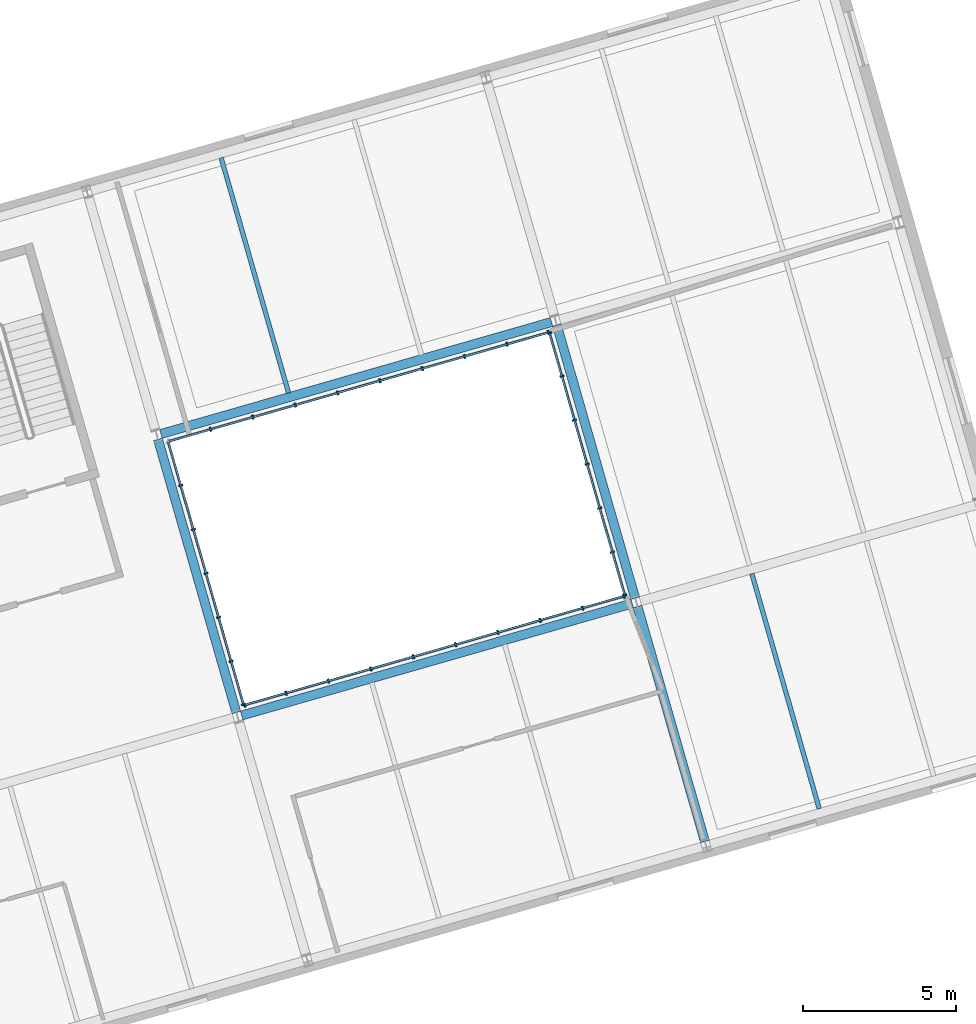
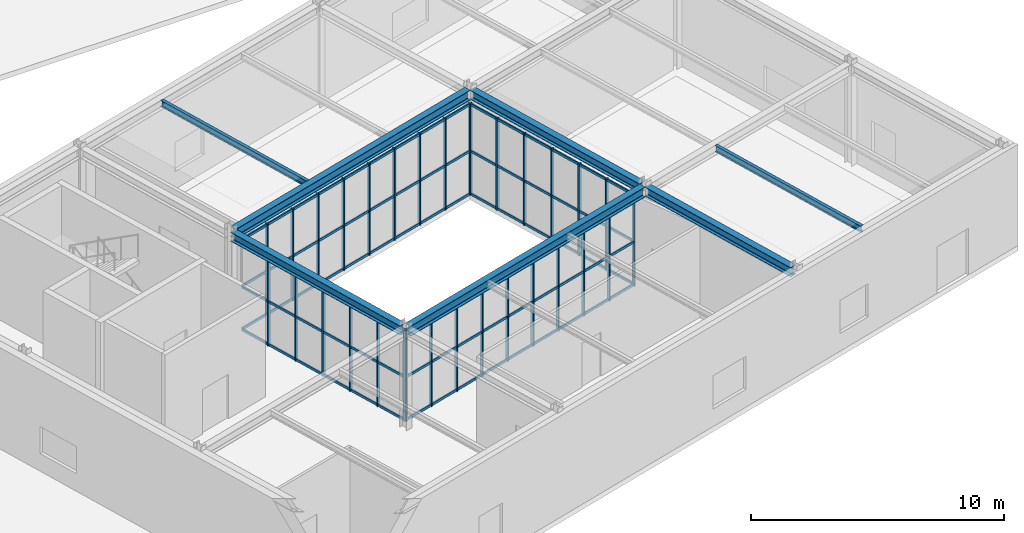
# One storey, part 53 of 97: 44 members, 7 beams, 4 elements without a shape of their own.
"""IFC4 building model written with IfcOpenShell, lengths in metres."""

import ifcopenshell
import ifcopenshell.guid

model = None  # the IFC model being written
_history = None  # IfcOwnerHistory: only IFC2X3 demands one
_inside = {}  # id of a spatial element -> (the spatial element, [elements in it])
_under = {}  # id of a project, library or spatial element -> (it, [spatial elements below it])
_declared = {}  # id of a project -> (the project, [libraries it declares])
_typed = {}  # id of a type object -> (the type object, [elements of that type])
_made_of = {}  # id of a material, layer set ... -> (it, [elements and type objects made of it])


def new_model(schema):
    """Start an empty IFC model of exactly this schema.

    Asked for "IFC4X3", IfcOpenShell would pick the latest addendum, in which some entities
    have other attributes; the version numbers below select the first issue.
    IFC2X3 requires an IfcOwnerHistory on every rooted entity: one is made here for all.
    """
    global model, _history
    if schema == "IFC4X3":
        model = ifcopenshell.file(schema_version=(4, 3, 0, 0))
    else:
        model = ifcopenshell.file(schema=schema)
    _inside.clear()
    _under.clear()
    _declared.clear()
    _typed.clear()
    _made_of.clear()
    _history = None
    if model.schema == "IFC2X3":
        org = make("IfcOrganization", Name="unknown")
        user = make(
            "IfcPersonAndOrganization",
            ThePerson=make("IfcPerson", FamilyName="unknown"),
            TheOrganization=org,
        )
        app = make(
            "IfcApplication",
            ApplicationDeveloper=org,
            Version="unknown",
            ApplicationFullName="unknown",
            ApplicationIdentifier="unknown",
        )
        _history = make(
            "IfcOwnerHistory",
            OwningUser=user,
            OwningApplication=app,
            ChangeAction="ADDED",
            CreationDate=0,
        )
    return model


def make(cls, **values):
    """One entity of the class cls with the attributes given. An attribute that is None is left unset."""
    return model.create_entity(
        cls, **{name: value for name, value in values.items() if value is not None}
    )


def rooted(cls, **values):
    """An entity with a GlobalId (a new one), such as an element, a storey or a relation."""
    return make(cls, GlobalId=ifcopenshell.guid.new(), OwnerHistory=_history, **values)


def si_unit(unit_type, name, prefix=None):
    """IfcSIUnit, for example si_unit("LENGTHUNIT", "METRE", prefix="MILLI")."""
    return make("IfcSIUnit", UnitType=unit_type, Prefix=prefix, Name=name)


def assignment(units):
    """IfcUnitAssignment: the units of a project."""
    return None if units is None else make("IfcUnitAssignment", Units=units)


def point(xyz):
    """IfcCartesianPoint."""
    return None if xyz is None else make("IfcCartesianPoint", Coordinates=xyz)


def direction(xyz):
    """IfcDirection."""
    return None if xyz is None else make("IfcDirection", DirectionRatios=xyz)


def frame(location, z_axis=None, x_axis=None):
    """IfcAxis2Placement3D, a coordinate frame: its origin and axes. An axis left out is left unset."""
    return make(
        "IfcAxis2Placement3D",
        Location=point(location),
        Axis=direction(z_axis),
        RefDirection=direction(x_axis),
    )


def frame_2d(location, x_axis=None):
    """IfcAxis2Placement2D, a coordinate frame in the plane: its origin and x axis."""
    return make(
        "IfcAxis2Placement2D", Location=point(location), RefDirection=direction(x_axis)
    )


def origin():
    """The frame at (0, 0, 0) with its axes left unset."""
    return frame((0.0, 0.0, 0.0))


def origin_2d():
    """The frame at (0, 0) in the plane with its x axis left unset."""
    return frame_2d((0.0, 0.0))


def place(relative_to, where):
    """IfcLocalPlacement: puts the frame where relative to a parent placement (None: the world)."""
    return make(
        "IfcLocalPlacement", PlacementRelTo=relative_to, RelativePlacement=where
    )


def context(
    kind, dimensions, precision=None, world=None, true_north=None, identifier=None
):
    """IfcGeometricRepresentationContext, for example the 3D "Model" context."""
    return make(
        "IfcGeometricRepresentationContext",
        ContextIdentifier=identifier,
        ContextType=kind,
        CoordinateSpaceDimension=dimensions,
        Precision=precision,
        WorldCoordinateSystem=world,
        TrueNorth=true_north,
    )


def subcontext(parent, identifier, kind, view, scale=None):
    """IfcGeometricRepresentationSubContext, for example "Body" below "Model"."""
    return make(
        "IfcGeometricRepresentationSubContext",
        ContextIdentifier=identifier,
        ContextType=kind,
        ParentContext=parent,
        TargetScale=scale,
        TargetView=view,
    )


def project(units=None, contexts=None):
    """IfcProject with its units and contexts."""
    return rooted(
        "IfcProject",
        Name="project",
        RepresentationContexts=contexts,
        UnitsInContext=assignment(units),
    )


def spatial(cls, under=None, at=None, **own):
    """A site, building, storey or space (cls), placed at a placement, below another one or the project."""
    s = rooted(cls, ObjectPlacement=at, **own)
    if under is not None:
        _under.setdefault(under.id(), (under, []))[1].append(s)
    return s


def profile(cls, at=None, kind="AREA", **sizes):
    """A parametric profile (cls). Its sizes go by their IFC names, for example OverallWidth=200.0."""
    return make(cls, ProfileType=kind, Position=at, **sizes)


def rectangle(**sizes):
    """IfcRectangleProfileDef."""
    return profile("IfcRectangleProfileDef", **sizes)


def i_section(**sizes):
    """IfcIShapeProfileDef."""
    return profile("IfcIShapeProfileDef", **sizes)


def extrude(swept, where, along, depth):
    """IfcExtrudedAreaSolid: the profile swept, set in the frame where, extruded along a direction by depth."""
    return make(
        "IfcExtrudedAreaSolid",
        SweptArea=swept,
        Position=where,
        ExtrudedDirection=direction(along),
        Depth=depth,
    )


def shape(context_of_items, identifier, shape_type, items):
    """IfcShapeRepresentation: the items that make up one representation, for example the "Body"."""
    return make(
        "IfcShapeRepresentation",
        ContextOfItems=context_of_items,
        RepresentationIdentifier=identifier,
        RepresentationType=shape_type,
        Items=items,
    )


def material(Name=None, Category=None):
    """IfcMaterial."""
    return make("IfcMaterial", Name=Name, Category=Category)


def material_profile(
    of_material, cross_section, Name=None, Category=None, Priority=None
):
    """IfcMaterialProfile: a cross section and its material."""
    return make(
        "IfcMaterialProfile",
        Name=Name,
        Material=of_material,
        Profile=cross_section,
        Priority=Priority,
        Category=Category,
    )


def profile_set(profiles, Name=None, composite=None):
    """IfcMaterialProfileSet."""
    return make(
        "IfcMaterialProfileSet",
        Name=Name,
        MaterialProfiles=profiles,
        CompositeProfile=composite,
    )


def made_of(thing, what):
    """Note that an element or type object is made of a material, layer set ...; save() writes the relation."""
    if what is not None:
        _made_of.setdefault(what.id(), (what, []))[1].append(thing)
    return thing


def type_object(cls, material=None, **own):
    """A type object (cls), such as IfcWallType, which elements share."""
    return made_of(rooted(cls, **own), material)


def element(
    cls,
    number,
    at=None,
    inside=None,
    cuts=None,
    type_object=None,
    material=None,
    context=None,
    identifier="Body",
    shape_type=None,
    held_by="IfcProductDefinitionShape",
    body=None,
    shapes=None,
    **own,
):
    """One element of the class cls, such as IfcWall. Its Tag is "e" and its number.

    at: its placement. inside: the storey or other place that contains it. cuts: it is an
    opening in that element (IfcRelVoidsElement). A single representation is given by context,
    identifier, shape_type and body (its items); several are given by shapes. held_by: the class
    of the entity that holds the representations. save() writes the other relations.
    """
    e = rooted(cls, Tag="e%d" % number, ObjectPlacement=at, **own)
    if body is not None:
        shapes = [shape(context, identifier, shape_type, body)]
    if shapes is not None:
        e.Representation = make(held_by, Representations=shapes)
    if inside is not None:
        _inside.setdefault(inside.id(), (inside, []))[1].append(e)
    if cuts is not None:
        rooted(
            "IfcRelVoidsElement", RelatingBuildingElement=cuts, RelatedOpeningElement=e
        )
    if type_object is not None:
        _typed.setdefault(type_object.id(), (type_object, []))[1].append(e)
    return made_of(e, material)


def aggregate(whole, parts):
    """IfcRelAggregates: a whole, such as a stair, and the parts it consists of."""
    return rooted("IfcRelAggregates", RelatingObject=whole, RelatedObjects=parts)


def save(model, path):
    """Write the relations noted so far, then the file.

    IfcRelAggregates (storeys below a building ...), IfcRelContainedInSpatialStructure (elements
    in a storey), IfcRelDefinesByType, IfcRelAssociatesMaterial and IfcRelDeclares: one each for
    every whole, place, type object, material and project.
    """
    for whole, parts in _under.values():
        aggregate(whole, parts)
    for where, things in _inside.values():
        rooted(
            "IfcRelContainedInSpatialStructure",
            RelatedElements=things,
            RelatingStructure=where,
        )
    for kind, things in _typed.values():
        rooted("IfcRelDefinesByType", RelatedObjects=things, RelatingType=kind)
    for what, things in _made_of.values():
        rooted("IfcRelAssociatesMaterial", RelatedObjects=things, RelatingMaterial=what)
    for by, libraries in _declared.values():
        rooted("IfcRelDeclares", RelatingContext=by, RelatedDefinitions=libraries)
    model.write(path)


model = new_model("IFC4")

# Units and contexts
model_context = context("Model", 3, precision=1e-05, world=origin(), true_north=direction((0.0, 1.0)))
body_context = subcontext(model_context, "Body", "Model", "MODEL_VIEW")
ifc_project = project(units=[si_unit("LENGTHUNIT", "METRE"), si_unit("AREAUNIT", "SQUARE_METRE"), si_unit("VOLUMEUNIT", "CUBIC_METRE"), si_unit("PLANEANGLEUNIT", "RADIAN"), si_unit("MASSUNIT", "GRAM", prefix="KILO")], contexts=[model_context])

# Site, building, storey
site_placement = place(None, origin())
site = spatial("IfcSite", under=ifc_project, at=site_placement, CompositionType="ELEMENT")
building_placement = place(site_placement, origin())
building = spatial("IfcBuilding", under=site, at=building_placement, Name="Varnklinge Art Gallery", CompositionType="ELEMENT")
storey_placement = place(building_placement, origin())
storey = spatial("IfcBuildingStorey", under=building, at=storey_placement, Name="L00", CompositionType="ELEMENT", Elevation=0.0)

# Beams
ifc_material_1 = material(Name="Steel S355", Category="steel")
ifc_material_profile_1 = material_profile(ifc_material_1, i_section(OverallWidth=0.300048828125, OverallDepth=0.489990234375, WebThickness=0.011962890625, FlangeThickness=0.02294921875, FilletRadius=0.027099609375, at=origin_2d()), Name="HEA 500")
ifc_profile_set_1 = profile_set([ifc_material_profile_1], Name="Steel S355")
beam_type_1 = type_object("IfcBeamType", Name="BM-07", PredefinedType="BEAM", material=ifc_profile_set_1)
for number, where, z_axis, x_axis, name in (
    (1, (133.921142578125, 21.05029296875, 4.635009765625), (0.961263452766, 0.275631228958, 0.0), (-0.275631228958, 0.961263452766, 0.0), "L00 BM-07 BM-V6-L01-U1-1"),
    (2, (131.27490234375, 30.2783203125, 4.635009765625), (0.961263452766, 0.275631228958, 0.0), (-0.275631228958, 0.961263452766, 0.0), "L00 BM-07 BM-V6-L01-U2-1"),
):
    element("IfcBeam", number, at=place(storey_placement, frame(where, z_axis=z_axis, x_axis=x_axis)), inside=storey, type_object=beam_type_1, Name=name, PredefinedType="BEAM", context=body_context, shape_type="SweptSolid", body=[
        extrude(i_section(OverallWidth=0.300048828125, OverallDepth=0.489990234375, WebThickness=0.011962890625, FlangeThickness=0.02294921875, FilletRadius=0.027099609375, at=origin_2d()), origin(), (0.0, 0.0, 1.0), 13.31982421875),
    ])
ifc_material_2 = material(Name="Steel S355", Category="steel")
ifc_material_profile_2 = material_profile(ifc_material_2, i_section(OverallWidth=0.300048828125, OverallDepth=0.43994140625, WebThickness=0.011474609375, FlangeThickness=0.02099609375, FilletRadius=0.027099609375, at=origin_2d()), Name="HEA 450")
ifc_profile_set_2 = profile_set([ifc_material_profile_2], Name="Steel S355")
beam_type_2 = type_object("IfcBeamType", Name="BM-08", PredefinedType="BEAM", material=ifc_profile_set_2)
beam_1_placement = place(storey_placement, frame((133.747802734375, 21.146240234375, 4.659912109375), z_axis=(-0.275634404399, 0.961262542239, 0.0), x_axis=(-0.961262542239, -0.275634404399, 0.0)))
element("IfcBeam", 3, at=beam_1_placement, inside=storey, type_object=beam_type_2, Name="L00 BM-08 BM-V6-L01-V1-1", PredefinedType="BEAM", context=body_context, shape_type="SweptSolid", body=[
    extrude(i_section(OverallWidth=0.300048828125, OverallDepth=0.43994140625, WebThickness=0.011474609375, FlangeThickness=0.02099609375, FilletRadius=0.027099609375, at=origin_2d()), origin(), (0.0, 0.0, 1.0), 9.31982421875),
])
beam_2_placement = place(storey_placement, frame((149.10888671875, 16.91650390625, 4.659912109375), z_axis=(-0.275649759333, 0.961258139201, 0.0), x_axis=(-0.961258139201, -0.275649759333, 0.0)))
element("IfcBeam", 4, at=beam_2_placement, inside=storey, type_object=beam_type_2, Name="L00 BM-08 BM-V6-L01-V2-0", PredefinedType="BEAM", context=body_context, shape_type="SweptSolid", body=[
    extrude(i_section(OverallWidth=0.300048828125, OverallDepth=0.43994140625, WebThickness=0.011474609375, FlangeThickness=0.02099609375, FilletRadius=0.027099609375, at=origin_2d()), origin(), (0.0, 0.0, 1.0), 8.02001953125),
])
beam_3_placement = place(storey_placement, frame((146.821044921875, 24.89501953125, 4.659912109375), z_axis=(-0.275634404399, 0.961262542239, 0.0), x_axis=(-0.961262542239, -0.275634404399, 0.0)))
element("IfcBeam", 5, at=beam_3_placement, inside=storey, type_object=beam_type_2, Name="L00 BM-08 BM-V6-L01-V2-1", PredefinedType="BEAM", context=body_context, shape_type="SweptSolid", body=[
    extrude(i_section(OverallWidth=0.300048828125, OverallDepth=0.43994140625, WebThickness=0.011474609375, FlangeThickness=0.02099609375, FilletRadius=0.027099609375, at=origin_2d()), origin(), (0.0, 0.0, 1.0), 9.31982421875),
])
ifc_material_3 = material(Name="Steel S355", Category="steel")
ifc_material_profile_3 = material_profile(ifc_material_3, i_section(OverallWidth=0.14990234375, OverallDepth=0.300048828125, WebThickness=0.007080078125, FlangeThickness=0.0107421875, FilletRadius=0.014892578125, at=origin_2d()), Name="IPE 300")
ifc_profile_set_3 = profile_set([ifc_material_profile_3], Name="Steel S355")
beam_type_3 = type_object("IfcBeamType", Name="JST-08", PredefinedType="JOIST", material=ifc_profile_set_3)
beam_4_placement = place(storey_placement, frame((135.45947265625, 31.623779296875, 4.72998046875), z_axis=(-0.2756416934, 0.961260452146, 0.0), x_axis=(-0.961260452146, -0.2756416934, 0.0)))
element("IfcBeam", 6, at=beam_4_placement, inside=storey, type_object=beam_type_3, Name="L00 JST-08 JST-V6-L01-1-2-1", PredefinedType="JOIST", context=body_context, shape_type="SweptSolid", body=[
    extrude(i_section(OverallWidth=0.14990234375, OverallDepth=0.300048828125, WebThickness=0.007080078125, FlangeThickness=0.0107421875, FilletRadius=0.014892578125, at=origin_2d()), origin(), (0.0, 0.0, 1.0), 8.020263671875),
])
beam_5_placement = place(storey_placement, frame((152.857666015625, 17.991455078125, 4.72998046875), z_axis=(-0.275621630307, 0.961266205016, 0.0), x_axis=(-0.961266205016, -0.275621630307, 0.0)))
element("IfcBeam", 7, at=beam_5_placement, inside=storey, type_object=beam_type_3, Name="L00 JST-08 JST-V6-L01-2-0-1", PredefinedType="JOIST", context=body_context, shape_type="SweptSolid", body=[
    extrude(i_section(OverallWidth=0.14990234375, OverallDepth=0.300048828125, WebThickness=0.007080078125, FlangeThickness=0.0107421875, FilletRadius=0.014892578125, at=origin_2d()), origin(), (0.0, 0.0, 1.0), 8.019775390625),
])

# Curtain wall, members
ifc_material_4 = material(Name="Anodised Aluminium", Category="aluminium")
curtain_wall_type = type_object("IfcCurtainWallType", Name="CW-C01", PredefinedType="USERDEFINED", material=ifc_material_4)
curtain_wall_1_placement = place(storey_placement, origin())
curtain_wall_1 = element("IfcCurtainWall", 8, at=curtain_wall_1_placement, inside=storey, type_object=curtain_wall_type, Name="L00 Curtain Wall CW-V6C-L00-1", ObjectType="UNITISED CURTAIN WALL", PredefinedType="USERDEFINED")
ifc_material_5 = material(Name="Anodised Aluminium", Category="aluminium")
ifc_material_profile_4 = material_profile(ifc_material_5, rectangle(XDim=0.06005859375, YDim=0.139892578125, at=origin_2d()), Name="ALU 60x140")
ifc_profile_set_4 = profile_set([ifc_material_profile_4], Name="Anodised Aluminium")
member_type_1 = type_object("IfcMemberType", Name="MUL-03", PredefinedType="MULLION", material=ifc_profile_set_4)
member_1_placement = place(storey_placement, frame((146.459716796875, 24.957763671875, 0.0), z_axis=(0.0, 0.0, 1.0), x_axis=(-0.961261695938, -0.275637355817, 0.0)))
member_1 = element("IfcMember", 9, at=member_1_placement, type_object=member_type_1, Name="CW-V6C-L00-1 Mullion 1", PredefinedType="MULLION", context=body_context, shape_type="SweptSolid", body=[
    extrude(rectangle(XDim=0.06005859375, YDim=0.139892578125, at=origin_2d()), origin(), (0.0, 0.0, 1.0), 4.429931640625),
])
member_2_placement = place(storey_placement, frame((145.10009765625, 24.56787109375, 0.0), z_axis=(0.0, 0.0, 1.0), x_axis=(-0.961261695938, -0.275637355817, 0.0)))
member_2 = element("IfcMember", 10, at=member_2_placement, type_object=member_type_1, Name="CW-V6C-L00-1 Mullion 2", PredefinedType="MULLION", context=body_context, shape_type="SweptSolid", body=[
    extrude(rectangle(XDim=0.06005859375, YDim=0.139892578125, at=origin_2d()), origin(), (0.0, 0.0, 1.0), 4.429931640625),
])
member_3_placement = place(storey_placement, frame((143.711669921875, 24.169677734375, 0.0), z_axis=(0.0, 0.0, 1.0), x_axis=(-0.961261695938, -0.275637355817, 0.0)))
member_3 = element("IfcMember", 11, at=member_3_placement, type_object=member_type_1, Name="CW-V6C-L00-1 Mullion 3", PredefinedType="MULLION", context=body_context, shape_type="SweptSolid", body=[
    extrude(rectangle(XDim=0.06005859375, YDim=0.139892578125, at=origin_2d()), origin(), (0.0, 0.0, 1.0), 4.429931640625),
])
member_4_placement = place(storey_placement, frame((142.322998046875, 23.771484375, 0.0), z_axis=(0.0, 0.0, 1.0), x_axis=(-0.961261695938, -0.275637355817, 0.0)))
member_4 = element("IfcMember", 12, at=member_4_placement, type_object=member_type_1, Name="CW-V6C-L00-1 Mullion 4", PredefinedType="MULLION", context=body_context, shape_type="SweptSolid", body=[
    extrude(rectangle(XDim=0.06005859375, YDim=0.139892578125, at=origin_2d()), origin(), (0.0, 0.0, 1.0), 4.429931640625),
])
member_5_placement = place(storey_placement, frame((140.9345703125, 23.373291015625, 0.0), z_axis=(0.0, 0.0, 1.0), x_axis=(-0.961261695938, -0.275637355817, 0.0)))
member_5 = element("IfcMember", 13, at=member_5_placement, type_object=member_type_1, Name="CW-V6C-L00-1 Mullion 5", PredefinedType="MULLION", context=body_context, shape_type="SweptSolid", body=[
    extrude(rectangle(XDim=0.06005859375, YDim=0.139892578125, at=origin_2d()), origin(), (0.0, 0.0, 1.0), 4.429931640625),
])
member_6_placement = place(storey_placement, frame((139.546142578125, 22.975341796875, 0.0), z_axis=(0.0, 0.0, 1.0), x_axis=(-0.961261695938, -0.275637355817, 0.0)))
member_6 = element("IfcMember", 14, at=member_6_placement, type_object=member_type_1, Name="CW-V6C-L00-1 Mullion 6", PredefinedType="MULLION", context=body_context, shape_type="SweptSolid", body=[
    extrude(rectangle(XDim=0.06005859375, YDim=0.139892578125, at=origin_2d()), origin(), (0.0, 0.0, 1.0), 4.429931640625),
])
member_7_placement = place(storey_placement, frame((138.15771484375, 22.5771484375, 0.0), z_axis=(0.0, 0.0, 1.0), x_axis=(-0.961261695938, -0.275637355817, 0.0)))
member_7 = element("IfcMember", 15, at=member_7_placement, type_object=member_type_1, Name="CW-V6C-L00-1 Mullion 7", PredefinedType="MULLION", context=body_context, shape_type="SweptSolid", body=[
    extrude(rectangle(XDim=0.06005859375, YDim=0.139892578125, at=origin_2d()), origin(), (0.0, 0.0, 1.0), 4.429931640625),
])
member_8_placement = place(storey_placement, frame((136.769287109375, 22.178955078125, 0.0), z_axis=(0.0, 0.0, 1.0), x_axis=(-0.961261695938, -0.275637355817, 0.0)))
member_8 = element("IfcMember", 16, at=member_8_placement, type_object=member_type_1, Name="CW-V6C-L00-1 Mullion 8", PredefinedType="MULLION", context=body_context, shape_type="SweptSolid", body=[
    extrude(rectangle(XDim=0.06005859375, YDim=0.139892578125, at=origin_2d()), origin(), (0.0, 0.0, 1.0), 4.429931640625),
])
member_9_placement = place(storey_placement, frame((135.380615234375, 21.78076171875, 0.0), z_axis=(0.0, 0.0, 1.0), x_axis=(-0.961261695938, -0.275637355817, 0.0)))
member_9 = element("IfcMember", 17, at=member_9_placement, type_object=member_type_1, Name="CW-V6C-L00-1 Mullion 9", PredefinedType="MULLION", context=body_context, shape_type="SweptSolid", body=[
    extrude(rectangle(XDim=0.06005859375, YDim=0.139892578125, at=origin_2d()), origin(), (0.0, 0.0, 1.0), 4.429931640625),
])
member_10_placement = place(storey_placement, frame((134.02099609375, 21.39111328125, 0.0), z_axis=(0.0, 0.0, 1.0), x_axis=(-0.961261695938, -0.275637355817, 0.0)))
member_10 = element("IfcMember", 18, at=member_10_placement, type_object=member_type_1, Name="CW-V6C-L00-1 Mullion 10", PredefinedType="MULLION", context=body_context, shape_type="SweptSolid", body=[
    extrude(rectangle(XDim=0.06005859375, YDim=0.139892578125, at=origin_2d()), origin(), (0.0, 0.0, 1.0), 4.429931640625),
])

curtain_wall_2_placement = place(storey_placement, origin())
curtain_wall_2 = element("IfcCurtainWall", 19, at=curtain_wall_2_placement, inside=storey, type_object=curtain_wall_type, Name="L00 Curtain Wall CW-V6C-L00-2", ObjectType="UNITISED CURTAIN WALL", PredefinedType="USERDEFINED")
member_11_placement = place(storey_placement, frame((144.01611328125, 33.58837890625, 0.0), z_axis=(0.0, 0.0, 1.0), x_axis=(0.275637355817, -0.961261695938, 0.0)))
member_11 = element("IfcMember", 20, at=member_11_placement, type_object=member_type_1, Name="CW-V6C-L00-2 Mullion 1", PredefinedType="MULLION", context=body_context, shape_type="SweptSolid", body=[
    extrude(rectangle(XDim=0.06005859375, YDim=0.139892578125, at=origin_2d()), origin(), (0.0, 0.0, 1.0), 4.429931640625),
])
member_12_placement = place(storey_placement, frame((144.42138671875, 32.17529296875, 0.0), z_axis=(0.0, 0.0, 1.0), x_axis=(0.275637355817, -0.961261695938, 0.0)))
member_12 = element("IfcMember", 21, at=member_12_placement, type_object=member_type_1, Name="CW-V6C-L00-2 Mullion 2", PredefinedType="MULLION", context=body_context, shape_type="SweptSolid", body=[
    extrude(rectangle(XDim=0.06005859375, YDim=0.139892578125, at=origin_2d()), origin(), (0.0, 0.0, 1.0), 4.429931640625),
])
member_13_placement = place(storey_placement, frame((144.834716796875, 30.7333984375, 0.0), z_axis=(0.0, 0.0, 1.0), x_axis=(0.275637355817, -0.961261695938, 0.0)))
member_13 = element("IfcMember", 22, at=member_13_placement, type_object=member_type_1, Name="CW-V6C-L00-2 Mullion 3", PredefinedType="MULLION", context=body_context, shape_type="SweptSolid", body=[
    extrude(rectangle(XDim=0.06005859375, YDim=0.139892578125, at=origin_2d()), origin(), (0.0, 0.0, 1.0), 4.429931640625),
])
member_14_placement = place(storey_placement, frame((145.248291015625, 29.291748046875, 0.0), z_axis=(0.0, 0.0, 1.0), x_axis=(0.275637355817, -0.961261695938, 0.0)))
member_14 = element("IfcMember", 23, at=member_14_placement, type_object=member_type_1, Name="CW-V6C-L00-2 Mullion 4", PredefinedType="MULLION", context=body_context, shape_type="SweptSolid", body=[
    extrude(rectangle(XDim=0.06005859375, YDim=0.139892578125, at=origin_2d()), origin(), (0.0, 0.0, 1.0), 4.429931640625),
])
member_15_placement = place(storey_placement, frame((145.66162109375, 27.849853515625, 0.0), z_axis=(0.0, 0.0, 1.0), x_axis=(0.275637355817, -0.961261695938, 0.0)))
member_15 = element("IfcMember", 24, at=member_15_placement, type_object=member_type_1, Name="CW-V6C-L00-2 Mullion 5", PredefinedType="MULLION", context=body_context, shape_type="SweptSolid", body=[
    extrude(rectangle(XDim=0.06005859375, YDim=0.139892578125, at=origin_2d()), origin(), (0.0, 0.0, 1.0), 4.429931640625),
])
member_16_placement = place(storey_placement, frame((146.0751953125, 26.407958984375, 0.0), z_axis=(0.0, 0.0, 1.0), x_axis=(0.275637355817, -0.961261695938, 0.0)))
member_16 = element("IfcMember", 25, at=member_16_placement, type_object=member_type_1, Name="CW-V6C-L00-2 Mullion 6", PredefinedType="MULLION", context=body_context, shape_type="SweptSolid", body=[
    extrude(rectangle(XDim=0.06005859375, YDim=0.139892578125, at=origin_2d()), origin(), (0.0, 0.0, 1.0), 4.429931640625),
])
member_17_placement = place(storey_placement, frame((146.480224609375, 24.994873046875, 0.0), z_axis=(0.0, 0.0, 1.0), x_axis=(0.275637355817, -0.961261695938, 0.0)))
member_17 = element("IfcMember", 26, at=member_17_placement, type_object=member_type_1, Name="CW-V6C-L00-2 Mullion 7", PredefinedType="MULLION", context=body_context, shape_type="SweptSolid", body=[
    extrude(rectangle(XDim=0.06005859375, YDim=0.139892578125, at=origin_2d()), origin(), (0.0, 0.0, 1.0), 4.429931640625),
])

curtain_wall_3_placement = place(storey_placement, origin())
curtain_wall_3 = element("IfcCurtainWall", 27, at=curtain_wall_3_placement, inside=storey, type_object=curtain_wall_type, Name="L00 Curtain Wall CW-V6C-L00-3", ObjectType="UNITISED CURTAIN WALL", PredefinedType="USERDEFINED")
member_18_placement = place(storey_placement, frame((132.89990234375, 30.43212890625, 0.0), z_axis=(0.0, 0.0, 1.0), x_axis=(0.961261695938, 0.275637355817, 0.0)))
member_18 = element("IfcMember", 28, at=member_18_placement, type_object=member_type_1, Name="CW-V6C-L00-3 Mullion 2", PredefinedType="MULLION", context=body_context, shape_type="SweptSolid", body=[
    extrude(rectangle(XDim=0.06005859375, YDim=0.139892578125, at=origin_2d()), origin(), (0.0, 0.0, 1.0), 4.429931640625),
])
member_19_placement = place(storey_placement, frame((134.288330078125, 30.830322265625, 0.0), z_axis=(0.0, 0.0, 1.0), x_axis=(0.961261695938, 0.275637355817, 0.0)))
member_19 = element("IfcMember", 29, at=member_19_placement, type_object=member_type_1, Name="CW-V6C-L00-3 Mullion 3", PredefinedType="MULLION", context=body_context, shape_type="SweptSolid", body=[
    extrude(rectangle(XDim=0.06005859375, YDim=0.139892578125, at=origin_2d()), origin(), (0.0, 0.0, 1.0), 4.429931640625),
])
member_20_placement = place(storey_placement, frame((135.677001953125, 31.228515625, 0.0), z_axis=(0.0, 0.0, 1.0), x_axis=(0.961261695938, 0.275637355817, 0.0)))
member_20 = element("IfcMember", 30, at=member_20_placement, type_object=member_type_1, Name="CW-V6C-L00-3 Mullion 4", PredefinedType="MULLION", context=body_context, shape_type="SweptSolid", body=[
    extrude(rectangle(XDim=0.06005859375, YDim=0.139892578125, at=origin_2d()), origin(), (0.0, 0.0, 1.0), 4.429931640625),
])
member_21_placement = place(storey_placement, frame((137.0654296875, 31.626708984375, 0.0), z_axis=(0.0, 0.0, 1.0), x_axis=(0.961261695938, 0.275637355817, 0.0)))
member_21 = element("IfcMember", 31, at=member_21_placement, type_object=member_type_1, Name="CW-V6C-L00-3 Mullion 5", PredefinedType="MULLION", context=body_context, shape_type="SweptSolid", body=[
    extrude(rectangle(XDim=0.06005859375, YDim=0.139892578125, at=origin_2d()), origin(), (0.0, 0.0, 1.0), 4.429931640625),
])
member_22_placement = place(storey_placement, frame((138.453857421875, 32.024658203125, 0.0), z_axis=(0.0, 0.0, 1.0), x_axis=(0.961261695938, 0.275637355817, 0.0)))
member_22 = element("IfcMember", 32, at=member_22_placement, type_object=member_type_1, Name="CW-V6C-L00-3 Mullion 6", PredefinedType="MULLION", context=body_context, shape_type="SweptSolid", body=[
    extrude(rectangle(XDim=0.06005859375, YDim=0.139892578125, at=origin_2d()), origin(), (0.0, 0.0, 1.0), 4.429931640625),
])
member_23_placement = place(storey_placement, frame((139.84228515625, 32.4228515625, 0.0), z_axis=(0.0, 0.0, 1.0), x_axis=(0.961261695938, 0.275637355817, 0.0)))
member_23 = element("IfcMember", 33, at=member_23_placement, type_object=member_type_1, Name="CW-V6C-L00-3 Mullion 7", PredefinedType="MULLION", context=body_context, shape_type="SweptSolid", body=[
    extrude(rectangle(XDim=0.06005859375, YDim=0.139892578125, at=origin_2d()), origin(), (0.0, 0.0, 1.0), 4.429931640625),
])
member_24_placement = place(storey_placement, frame((141.230712890625, 32.821044921875, 0.0), z_axis=(0.0, 0.0, 1.0), x_axis=(0.961261695938, 0.275637355817, 0.0)))
member_24 = element("IfcMember", 34, at=member_24_placement, type_object=member_type_1, Name="CW-V6C-L00-3 Mullion 8", PredefinedType="MULLION", context=body_context, shape_type="SweptSolid", body=[
    extrude(rectangle(XDim=0.06005859375, YDim=0.139892578125, at=origin_2d()), origin(), (0.0, 0.0, 1.0), 4.429931640625),
])
member_25_placement = place(storey_placement, frame((142.619384765625, 33.21923828125, 0.0), z_axis=(0.0, 0.0, 1.0), x_axis=(0.961261695938, 0.275637355817, 0.0)))
member_25 = element("IfcMember", 35, at=member_25_placement, type_object=member_type_1, Name="CW-V6C-L00-3 Mullion 9", PredefinedType="MULLION", context=body_context, shape_type="SweptSolid", body=[
    extrude(rectangle(XDim=0.06005859375, YDim=0.139892578125, at=origin_2d()), origin(), (0.0, 0.0, 1.0), 4.429931640625),
])
member_26_placement = place(storey_placement, frame((143.97900390625, 33.60888671875, 0.0), z_axis=(0.0, 0.0, 1.0), x_axis=(0.961261695938, 0.275637355817, 0.0)))
member_26 = element("IfcMember", 36, at=member_26_placement, type_object=member_type_1, Name="CW-V6C-L00-3 Mullion 10", PredefinedType="MULLION", context=body_context, shape_type="SweptSolid", body=[
    extrude(rectangle(XDim=0.06005859375, YDim=0.139892578125, at=origin_2d()), origin(), (0.0, 0.0, 1.0), 4.429931640625),
])

curtain_wall_4_placement = place(storey_placement, origin())
curtain_wall_4 = element("IfcCurtainWall", 37, at=curtain_wall_4_placement, inside=storey, type_object=curtain_wall_type, Name="L00 Curtain Wall CW-V6C-L00-4", ObjectType="UNITISED CURTAIN WALL", PredefinedType="USERDEFINED")
member_27_placement = place(storey_placement, frame((133.98388671875, 21.41162109375, 0.0), z_axis=(0.0, 0.0, 1.0), x_axis=(-0.275637355817, 0.961261695938, 0.0)))
member_27 = element("IfcMember", 38, at=member_27_placement, type_object=member_type_1, Name="CW-V6C-L00-4 Mullion 1", PredefinedType="MULLION", context=body_context, shape_type="SweptSolid", body=[
    extrude(rectangle(XDim=0.06005859375, YDim=0.139892578125, at=origin_2d()), origin(), (0.0, 0.0, 1.0), 4.429931640625),
])
member_28_placement = place(storey_placement, frame((133.57861328125, 22.82470703125, 0.0), z_axis=(0.0, 0.0, 1.0), x_axis=(-0.275637355817, 0.961261695938, 0.0)))
member_28 = element("IfcMember", 39, at=member_28_placement, type_object=member_type_1, Name="CW-V6C-L00-4 Mullion 2", PredefinedType="MULLION", context=body_context, shape_type="SweptSolid", body=[
    extrude(rectangle(XDim=0.06005859375, YDim=0.139892578125, at=origin_2d()), origin(), (0.0, 0.0, 1.0), 4.429931640625),
])
member_29_placement = place(storey_placement, frame((133.165283203125, 24.2666015625, 0.0), z_axis=(0.0, 0.0, 1.0), x_axis=(-0.275637355817, 0.961261695938, 0.0)))
member_29 = element("IfcMember", 40, at=member_29_placement, type_object=member_type_1, Name="CW-V6C-L00-4 Mullion 3", PredefinedType="MULLION", context=body_context, shape_type="SweptSolid", body=[
    extrude(rectangle(XDim=0.06005859375, YDim=0.139892578125, at=origin_2d()), origin(), (0.0, 0.0, 1.0), 4.429931640625),
])
member_30_placement = place(storey_placement, frame((132.751708984375, 25.708251953125, 0.0), z_axis=(0.0, 0.0, 1.0), x_axis=(-0.275637355817, 0.961261695938, 0.0)))
member_30 = element("IfcMember", 41, at=member_30_placement, type_object=member_type_1, Name="CW-V6C-L00-4 Mullion 4", PredefinedType="MULLION", context=body_context, shape_type="SweptSolid", body=[
    extrude(rectangle(XDim=0.06005859375, YDim=0.139892578125, at=origin_2d()), origin(), (0.0, 0.0, 1.0), 4.429931640625),
])
member_31_placement = place(storey_placement, frame((132.33837890625, 27.150146484375, 0.0), z_axis=(0.0, 0.0, 1.0), x_axis=(-0.275637355817, 0.961261695938, 0.0)))
member_31 = element("IfcMember", 42, at=member_31_placement, type_object=member_type_1, Name="CW-V6C-L00-4 Mullion 5", PredefinedType="MULLION", context=body_context, shape_type="SweptSolid", body=[
    extrude(rectangle(XDim=0.06005859375, YDim=0.139892578125, at=origin_2d()), origin(), (0.0, 0.0, 1.0), 4.429931640625),
])
member_32_placement = place(storey_placement, frame((131.9248046875, 28.592041015625, 0.0), z_axis=(0.0, 0.0, 1.0), x_axis=(-0.275637355817, 0.961261695938, 0.0)))
member_32 = element("IfcMember", 43, at=member_32_placement, type_object=member_type_1, Name="CW-V6C-L00-4 Mullion 6", PredefinedType="MULLION", context=body_context, shape_type="SweptSolid", body=[
    extrude(rectangle(XDim=0.06005859375, YDim=0.139892578125, at=origin_2d()), origin(), (0.0, 0.0, 1.0), 4.429931640625),
])

# Member
ifc_material_6 = material(Name="Anodised Aluminium", Category="aluminium")
ifc_material_profile_5 = material_profile(ifc_material_6, rectangle(XDim=0.06005859375, YDim=0.1201171875, at=origin_2d()), Name="ALU 60x120")
ifc_profile_set_5 = profile_set([ifc_material_profile_5], Name="Anodised Aluminium")
member_type_2 = type_object("IfcMemberType", Name="TRN-02", PredefinedType="USERDEFINED", material=ifc_profile_set_5)
member_33_placement = place(storey_placement, frame((146.459716796875, 24.957763671875, 0.06005859375), z_axis=(-0.961263648834, -0.275630545169, 0.0), x_axis=(0.275630545169, -0.961263648834, 0.0)))
member_33 = element("IfcMember", 44, at=member_33_placement, type_object=member_type_2, Name="CW-V6C-L00-1 Transom 1", ObjectType="TRANSOM", PredefinedType="USERDEFINED", context=body_context, shape_type="SweptSolid", body=[
    extrude(rectangle(XDim=0.06005859375, YDim=0.1201171875, at=origin_2d()), origin(), (0.0, 0.0, 1.0), 12.93994140625),
])

member_34_placement = place(storey_placement, frame((146.459716796875, 24.957763671875, 2.12646484375), z_axis=(-0.961263648834, -0.275630545169, 0.0), x_axis=(0.275630545169, -0.961263648834, 0.0)))
member_34 = element("IfcMember", 45, at=member_34_placement, type_object=member_type_2, Name="CW-V6C-L00-1 Transom 2", ObjectType="TRANSOM", PredefinedType="USERDEFINED", context=body_context, shape_type="SweptSolid", body=[
    extrude(rectangle(XDim=0.06005859375, YDim=0.1201171875, at=origin_2d()), origin(), (0.0, 0.0, 1.0), 12.93994140625),
])

member_35_placement = place(storey_placement, frame((146.459716796875, 24.957763671875, 4.3701171875), z_axis=(-0.961263648834, -0.275630545169, 0.0), x_axis=(0.275630545169, -0.961263648834, 0.0)))
member_35 = element("IfcMember", 46, at=member_35_placement, type_object=member_type_2, Name="CW-V6C-L00-1 Transom 3", ObjectType="TRANSOM", PredefinedType="USERDEFINED", context=body_context, shape_type="SweptSolid", body=[
    extrude(rectangle(XDim=0.06005859375, YDim=0.1201171875, at=origin_2d()), origin(), (0.0, 0.0, 1.0), 12.93994140625),
])

aggregate(curtain_wall_1, [member_1, member_2, member_3, member_4, member_5, member_6, member_7, member_8, member_9, member_10, member_33, member_34, member_35])

member_36_placement = place(storey_placement, frame((144.01611328125, 33.58837890625, 0.06005859375), z_axis=(0.275633549608, -0.961262787343, 0.0), x_axis=(0.961262787343, 0.275633549608, 0.0)))
member_36 = element("IfcMember", 47, at=member_36_placement, type_object=member_type_2, Name="CW-V6C-L00-2 Transom 1", ObjectType="TRANSOM", PredefinedType="USERDEFINED", context=body_context, shape_type="SweptSolid", body=[
    extrude(rectangle(XDim=0.06005859375, YDim=0.1201171875, at=origin_2d()), origin(), (0.0, 0.0, 1.0), 8.939697265625),
])

member_37_placement = place(storey_placement, frame((144.01611328125, 33.58837890625, 2.12646484375), z_axis=(0.275633549608, -0.961262787343, 0.0), x_axis=(0.961262787343, 0.275633549608, 0.0)))
member_37 = element("IfcMember", 48, at=member_37_placement, type_object=member_type_2, Name="CW-V6C-L00-2 Transom 2", ObjectType="TRANSOM", PredefinedType="USERDEFINED", context=body_context, shape_type="SweptSolid", body=[
    extrude(rectangle(XDim=0.06005859375, YDim=0.1201171875, at=origin_2d()), origin(), (0.0, 0.0, 1.0), 8.939697265625),
])

member_38_placement = place(storey_placement, frame((144.01611328125, 33.58837890625, 4.3701171875), z_axis=(0.275633549608, -0.961262787343, 0.0), x_axis=(0.961262787343, 0.275633549608, 0.0)))
member_38 = element("IfcMember", 49, at=member_38_placement, type_object=member_type_2, Name="CW-V6C-L00-2 Transom 3", ObjectType="TRANSOM", PredefinedType="USERDEFINED", context=body_context, shape_type="SweptSolid", body=[
    extrude(rectangle(XDim=0.06005859375, YDim=0.1201171875, at=origin_2d()), origin(), (0.0, 0.0, 1.0), 8.939697265625),
])

aggregate(curtain_wall_2, [member_11, member_12, member_13, member_14, member_15, member_16, member_17, member_36, member_37, member_38])

member_39_placement = place(storey_placement, frame((131.540283203125, 30.042236328125, 0.06005859375), z_axis=(0.961263648834, 0.275630545169, 0.0), x_axis=(-0.275630545169, 0.961263648834, 0.0)))
member_39 = element("IfcMember", 50, at=member_39_placement, type_object=member_type_2, Name="CW-V6C-L00-3 Transom 1", ObjectType="TRANSOM", PredefinedType="USERDEFINED", context=body_context, shape_type="SweptSolid", body=[
    extrude(rectangle(XDim=0.06005859375, YDim=0.1201171875, at=origin_2d()), origin(), (0.0, 0.0, 1.0), 12.93994140625),
])

member_40_placement = place(storey_placement, frame((131.540283203125, 30.042236328125, 2.12646484375), z_axis=(0.961263648834, 0.275630545169, 0.0), x_axis=(-0.275630545169, 0.961263648834, 0.0)))
member_40 = element("IfcMember", 51, at=member_40_placement, type_object=member_type_2, Name="CW-V6C-L00-3 Transom 2", ObjectType="TRANSOM", PredefinedType="USERDEFINED", context=body_context, shape_type="SweptSolid", body=[
    extrude(rectangle(XDim=0.06005859375, YDim=0.1201171875, at=origin_2d()), origin(), (0.0, 0.0, 1.0), 12.93994140625),
])

member_41_placement = place(storey_placement, frame((131.540283203125, 30.042236328125, 4.3701171875), z_axis=(0.961263648834, 0.275630545169, 0.0), x_axis=(-0.275630545169, 0.961263648834, 0.0)))
member_41 = element("IfcMember", 52, at=member_41_placement, type_object=member_type_2, Name="CW-V6C-L00-3 Transom 3", ObjectType="TRANSOM", PredefinedType="USERDEFINED", context=body_context, shape_type="SweptSolid", body=[
    extrude(rectangle(XDim=0.06005859375, YDim=0.1201171875, at=origin_2d()), origin(), (0.0, 0.0, 1.0), 12.93994140625),
])

aggregate(curtain_wall_3, [member_18, member_19, member_20, member_21, member_22, member_23, member_24, member_25, member_26, member_39, member_40, member_41])

member_42_placement = place(storey_placement, frame((133.98388671875, 21.41162109375, 0.06005859375), z_axis=(-0.275633549608, 0.961262787343, 0.0), x_axis=(-0.961262787343, -0.275633549608, 0.0)))
member_42 = element("IfcMember", 53, at=member_42_placement, type_object=member_type_2, Name="CW-V6C-L00-4 Transom 1", ObjectType="TRANSOM", PredefinedType="USERDEFINED", context=body_context, shape_type="SweptSolid", body=[
    extrude(rectangle(XDim=0.06005859375, YDim=0.1201171875, at=origin_2d()), origin(), (0.0, 0.0, 1.0), 8.939697265625),
])

member_43_placement = place(storey_placement, frame((133.98388671875, 21.41162109375, 2.12646484375), z_axis=(-0.275633549608, 0.961262787343, 0.0), x_axis=(-0.961262787343, -0.275633549608, 0.0)))
member_43 = element("IfcMember", 54, at=member_43_placement, type_object=member_type_2, Name="CW-V6C-L00-4 Transom 2", ObjectType="TRANSOM", PredefinedType="USERDEFINED", context=body_context, shape_type="SweptSolid", body=[
    extrude(rectangle(XDim=0.06005859375, YDim=0.1201171875, at=origin_2d()), origin(), (0.0, 0.0, 1.0), 8.939697265625),
])

member_44_placement = place(storey_placement, frame((133.98388671875, 21.41162109375, 4.3701171875), z_axis=(-0.275633549608, 0.961262787343, 0.0), x_axis=(-0.961262787343, -0.275633549608, 0.0)))
member_44 = element("IfcMember", 55, at=member_44_placement, type_object=member_type_2, Name="CW-V6C-L00-4 Transom 3", ObjectType="TRANSOM", PredefinedType="USERDEFINED", context=body_context, shape_type="SweptSolid", body=[
    extrude(rectangle(XDim=0.06005859375, YDim=0.1201171875, at=origin_2d()), origin(), (0.0, 0.0, 1.0), 8.939697265625),
])

aggregate(curtain_wall_4, [member_27, member_28, member_29, member_30, member_31, member_32, member_42, member_43, member_44])

save(model, "model.ifc")
